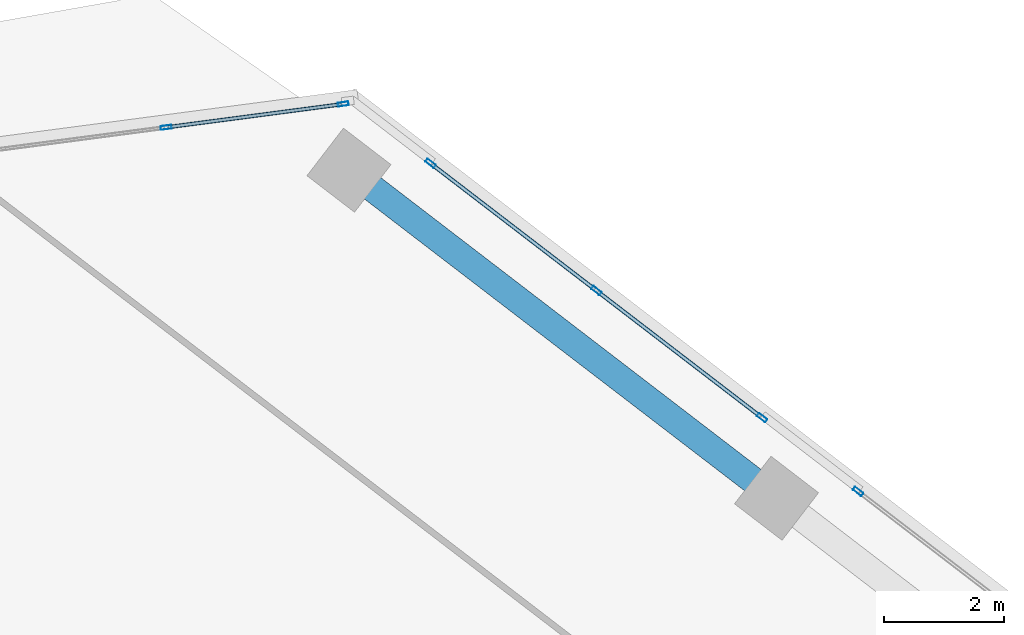
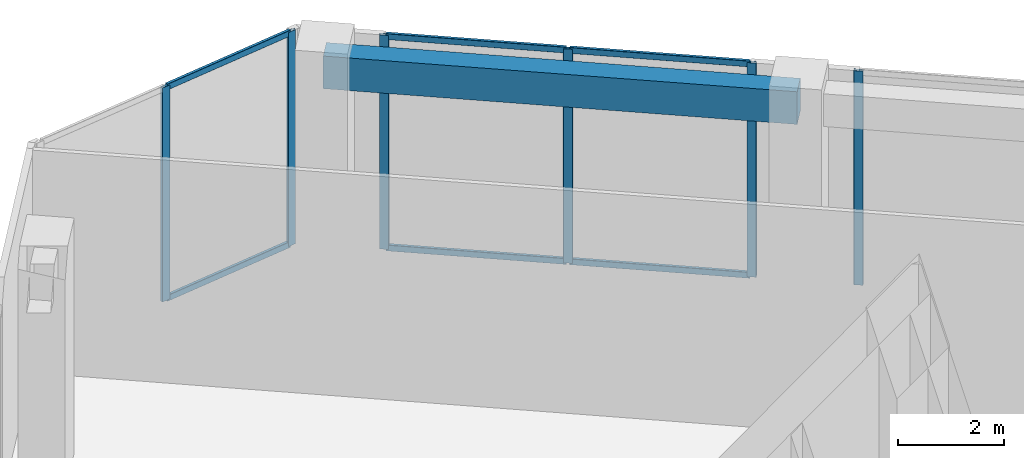
# One storey, part 14 of 23: 12 members, 1 beam, 3 elements without a shape of their own.
"""IFC4 building model written with IfcOpenShell, lengths in metres."""

from ifc_helpers import new_model, si_unit, direction, frame, origin, origin_2d, place, context, subcontext, project, spatial, rectangle, hollow_rectangle, extrude, source, transform, mapped, material, material_profile, profile_set, type_object, element, aggregate, save


model = new_model("IFC4")

# Units and contexts
model_context = context("Model", 3, precision=1e-05, world=origin(), true_north=direction((0.0, 1.0)))
body_context = subcontext(model_context, "Body", "Model", "MODEL_VIEW")
ifc_project = project(units=[si_unit("LENGTHUNIT", "METRE"), si_unit("AREAUNIT", "SQUARE_METRE"), si_unit("VOLUMEUNIT", "CUBIC_METRE"), si_unit("PLANEANGLEUNIT", "RADIAN"), si_unit("MASSUNIT", "GRAM", prefix="KILO")], contexts=[model_context])

# Site, building, storey
site_placement = place(None, origin())
site = spatial("IfcSite", under=ifc_project, at=site_placement, CompositionType="ELEMENT")
building_placement = place(site_placement, origin())
building = spatial("IfcBuilding", under=site, at=building_placement, Name="Torre Montelarca", CompositionType="ELEMENT")
storey_placement = place(building_placement, frame((0.0, 0.0, 204.39990234375)))
storey = spatial("IfcBuildingStorey", under=building, at=storey_placement, Name="L46", CompositionType="ELEMENT", Elevation=204.39990234375)

# Beam
ifc_material_1 = material(Name="Concrete C55/67", Category="concrete")
ifc_material_profile_1 = material_profile(ifc_material_1, rectangle(XDim=0.449951171875, YDim=0.75, at=origin_2d()), Name="RCB450X750", Category="concrete")
ifc_profile_set_1 = profile_set([ifc_material_profile_1], Name="Concrete C55/67")
beam_type = type_object("IfcBeamType", Name="BM-SP-RC750-EXT", PredefinedType="SPANDREL", material=ifc_profile_set_1)
shared_shape_1 = source(origin(), body_context, "Body", "SweptSolid", [
    extrude(rectangle(XDim=0.449951171875, YDim=0.75, at=origin_2d()), origin(), (0.0, 0.0, 1.0), 9.0),
])
beam_placement = place(storey_placement, frame((20.805908203125, 51.62890625, 4.7451171875), z_axis=(0.793343450023, -0.608774318041, 0.0), x_axis=(0.608774318041, 0.793343450023, 0.0)))
element("IfcBeam", 1, at=beam_placement, inside=storey, type_object=beam_type, Name="L46 Grid Girder X 9.0-18.0 at Y=47.1", PredefinedType="SPANDREL", context=body_context, shape_type="MappedRepresentation", body=[
    mapped(shared_shape_1, transform((0.0, 0.0, 0.0), scale=1.0)),
])

# Curtain wall, members
ifc_material_2 = material(Name="Insulated low-E laminated glass", Category="glass")
curtain_wall_type = type_object("IfcCurtainWallType", Name="CW-SYS-Z2", PredefinedType="USERDEFINED", material=ifc_material_2)
curtain_wall_1_placement = place(storey_placement, origin())
curtain_wall_1 = element("IfcCurtainWall", 2, at=curtain_wall_1_placement, inside=storey, type_object=curtain_wall_type, Name="L46 Curtain Wall Run CW-T3-L46-E09-B1", ObjectType="UNITISED GLAZING", PredefinedType="USERDEFINED")
ifc_material_3 = material(Name="Anodised aluminium AA 6063-T6", Category="aluminium")
ifc_material_profile_2 = material_profile(ifc_material_3, hollow_rectangle(XDim=0.06494140625, YDim=0.139892578125, WallThickness=0.00390625, InnerFilletRadius=0.00390625, OuterFilletRadius=0.008056640625, at=origin_2d()), Name="ALU65X140X4", Category="aluminium")
ifc_profile_set_2 = profile_set([ifc_material_profile_2], Name="Anodised aluminium AA 6063-T6")
member_type_1 = type_object("IfcMemberType", Name="CWT-ALU140", PredefinedType="USERDEFINED", material=ifc_profile_set_2)
shared_shape_2 = source(origin(), body_context, "Body", "SweptSolid", [
    extrude(hollow_rectangle(XDim=0.06494140625, YDim=0.139892578125, WallThickness=0.00390625, InnerFilletRadius=0.00390625, OuterFilletRadius=0.008056640625, at=origin_2d()), origin(), (0.0, 0.0, 1.0), 2.91845703125),
])
member_1_placement = place(storey_placement, frame((20.677734375, 52.72900390625, 0.03271484375), z_axis=(-0.991437773685, -0.130580017273, 0.0), x_axis=(0.130580017273, -0.991437773685, 0.0)))
member_1 = element("IfcMember", 3, at=member_1_placement, type_object=member_type_1, Name="CW transom 1.1", ObjectType="TRANSOM", PredefinedType="USERDEFINED", context=body_context, shape_type="MappedRepresentation", body=[
    mapped(shared_shape_2, transform((0.0, 0.0, 0.0), scale=1.0)),
])
member_2_placement = place(storey_placement, frame((20.677734375, 52.72900390625, 4.8876953125), z_axis=(-0.991437773685, -0.130580017273, 0.0), x_axis=(0.130580017273, -0.991437773685, 0.0)))
member_2 = element("IfcMember", 4, at=member_2_placement, type_object=member_type_1, Name="CW transom 1.2", ObjectType="TRANSOM", PredefinedType="USERDEFINED", context=body_context, shape_type="MappedRepresentation", body=[
    mapped(shared_shape_2, transform((0.0, 0.0, 0.0), scale=1.0)),
])

# Curtain wall, member
curtain_wall_2_placement = place(storey_placement, origin())
curtain_wall_2 = element("IfcCurtainWall", 5, at=curtain_wall_2_placement, inside=storey, type_object=curtain_wall_type, Name="L46 Curtain Wall Run CW-T3-L46-E08-B3", ObjectType="UNITISED GLAZING", PredefinedType="USERDEFINED")
ifc_material_profile_3 = material_profile(ifc_material_3, hollow_rectangle(XDim=0.06494140625, YDim=0.179931640625, WallThickness=0.00390625, InnerFilletRadius=0.00390625, OuterFilletRadius=0.008056640625, at=origin_2d()), Name="ALU65X180X4", Category="aluminium")
ifc_profile_set_3 = profile_set([ifc_material_profile_3], Name="Anodised aluminium AA 6063-T6")
member_type_2 = type_object("IfcMemberType", Name="CWM-ALU180", PredefinedType="MULLION", material=ifc_profile_set_3)
shared_shape_3 = source(origin(), body_context, "Body", "SweptSolid", [
    extrude(hollow_rectangle(XDim=0.06494140625, YDim=0.179931640625, WallThickness=0.00390625, InnerFilletRadius=0.00390625, OuterFilletRadius=0.008056640625, at=origin_2d()), origin(), (0.0, 0.0, 1.0), 4.920166015625),
])
member_3_placement = place(storey_placement, frame((29.309326171875, 46.263427734375, 0.0), z_axis=(0.0, 0.0, 1.0), x_axis=(-0.608756831323, -0.793356868199, 0.0)))
member_3 = element("IfcMember", 6, at=member_3_placement, type_object=member_type_2, Name="CW mullion 3", PredefinedType="MULLION", context=body_context, shape_type="MappedRepresentation", body=[
    mapped(shared_shape_3, transform((0.0, 0.0, 0.0), scale=1.0)),
])
aggregate(curtain_wall_2, [member_3])

# Curtain wall, members
curtain_wall_3_placement = place(storey_placement, origin())
curtain_wall_3 = element("IfcCurtainWall", 7, at=curtain_wall_3_placement, inside=storey, type_object=curtain_wall_type, Name="L46 Curtain Wall Run CW-T3-L46-E08-B4", ObjectType="UNITISED GLAZING", PredefinedType="USERDEFINED")
member_4_placement = place(storey_placement, frame((27.702880859375, 47.496337890625, 0.0), z_axis=(0.0, 0.0, 1.0), x_axis=(-0.608763691545, -0.793351604181, 0.0)))
member_4 = element("IfcMember", 8, at=member_4_placement, type_object=member_type_2, Name="CW mullion 1", PredefinedType="MULLION", context=body_context, shape_type="MappedRepresentation", body=[
    mapped(shared_shape_3, transform((0.0, 0.0, 0.0), scale=1.0)),
])
member_5_placement = place(storey_placement, frame((24.93603515625, 49.619384765625, 0.0), z_axis=(0.0, 0.0, 1.0), x_axis=(-0.608763691545, -0.793351604181, 0.0)))
member_5 = element("IfcMember", 9, at=member_5_placement, type_object=member_type_2, Name="CW mullion 2", PredefinedType="MULLION", context=body_context, shape_type="MappedRepresentation", body=[
    mapped(shared_shape_3, transform((0.0, 0.0, 0.0), scale=1.0)),
])
member_6_placement = place(storey_placement, frame((22.169189453125, 51.742431640625, 0.0), z_axis=(0.0, 0.0, 1.0), x_axis=(-0.608763691545, -0.793351604181, 0.0)))
member_6 = element("IfcMember", 10, at=member_6_placement, type_object=member_type_2, Name="CW mullion 3", PredefinedType="MULLION", context=body_context, shape_type="MappedRepresentation", body=[
    mapped(shared_shape_3, transform((0.0, 0.0, 0.0), scale=1.0)),
])

# Member
member_7_placement = place(storey_placement, frame((20.7099609375, 52.733154296875, 0.0), z_axis=(0.0, 0.0, 1.0), x_axis=(0.130514118862, -0.991446450787, 0.0)))
member_7 = element("IfcMember", 11, at=member_7_placement, type_object=member_type_2, Name="CW mullion 1", PredefinedType="MULLION", context=body_context, shape_type="MappedRepresentation", body=[
    mapped(shared_shape_3, transform((0.0, 0.0, 0.0), scale=1.0)),
])

member_8_placement = place(storey_placement, frame((17.751953125, 52.34375, 0.0), z_axis=(0.0, 0.0, 1.0), x_axis=(0.130514118862, -0.991446450787, 0.0)))
member_8 = element("IfcMember", 12, at=member_8_placement, type_object=member_type_2, Name="CW mullion 2", PredefinedType="MULLION", context=body_context, shape_type="MappedRepresentation", body=[
    mapped(shared_shape_3, transform((0.0, 0.0, 0.0), scale=1.0)),
])

aggregate(curtain_wall_1, [member_7, member_8, member_1, member_2])

shared_shape_4 = source(origin(), body_context, "Body", "SweptSolid", [
    extrude(hollow_rectangle(XDim=0.06494140625, YDim=0.139892578125, WallThickness=0.00390625, InnerFilletRadius=0.00390625, OuterFilletRadius=0.008056640625, at=origin_2d()), origin(), (0.0, 0.0, 1.0), 3.422607421875),
])
member_9_placement = place(storey_placement, frame((27.677001953125, 47.51611328125, 0.03271484375), z_axis=(-0.793360601133, 0.608751966379, 0.0), x_axis=(-0.608751966379, -0.793360601133, 0.0)))
member_9 = element("IfcMember", 13, at=member_9_placement, type_object=member_type_1, Name="CW transom 1.1", ObjectType="TRANSOM", PredefinedType="USERDEFINED", context=body_context, shape_type="MappedRepresentation", body=[
    mapped(shared_shape_4, transform((0.0, 0.0, 0.0), scale=1.0)),
])

member_10_placement = place(storey_placement, frame((27.677001953125, 47.51611328125, 4.8876953125), z_axis=(-0.793360601133, 0.608751966379, 0.0), x_axis=(-0.608751966379, -0.793360601133, 0.0)))
member_10 = element("IfcMember", 14, at=member_10_placement, type_object=member_type_1, Name="CW transom 1.2", ObjectType="TRANSOM", PredefinedType="USERDEFINED", context=body_context, shape_type="MappedRepresentation", body=[
    mapped(shared_shape_4, transform((0.0, 0.0, 0.0), scale=1.0)),
])

shared_shape_5 = source(origin(), body_context, "Body", "SweptSolid", [
    extrude(hollow_rectangle(XDim=0.06494140625, YDim=0.139892578125, WallThickness=0.00390625, InnerFilletRadius=0.00390625, OuterFilletRadius=0.008056640625, at=origin_2d()), origin(), (0.0, 0.0, 1.0), 3.42236328125),
])
member_11_placement = place(storey_placement, frame((24.91015625, 49.63916015625, 0.03271484375), z_axis=(-0.793334164547, 0.60878641851, 0.0), x_axis=(-0.60878641851, -0.793334164547, 0.0)))
member_11 = element("IfcMember", 15, at=member_11_placement, type_object=member_type_1, Name="CW transom 2.1", ObjectType="TRANSOM", PredefinedType="USERDEFINED", context=body_context, shape_type="MappedRepresentation", body=[
    mapped(shared_shape_5, transform((0.0, 0.0, 0.0), scale=1.0)),
])

member_12_placement = place(storey_placement, frame((24.91015625, 49.63916015625, 4.8876953125), z_axis=(-0.793334164547, 0.60878641851, 0.0), x_axis=(-0.60878641851, -0.793334164547, 0.0)))
member_12 = element("IfcMember", 16, at=member_12_placement, type_object=member_type_1, Name="CW transom 2.2", ObjectType="TRANSOM", PredefinedType="USERDEFINED", context=body_context, shape_type="MappedRepresentation", body=[
    mapped(shared_shape_5, transform((0.0, 0.0, 0.0), scale=1.0)),
])

aggregate(curtain_wall_3, [member_4, member_5, member_6, member_9, member_10, member_11, member_12])

save(model, "model.ifc")
